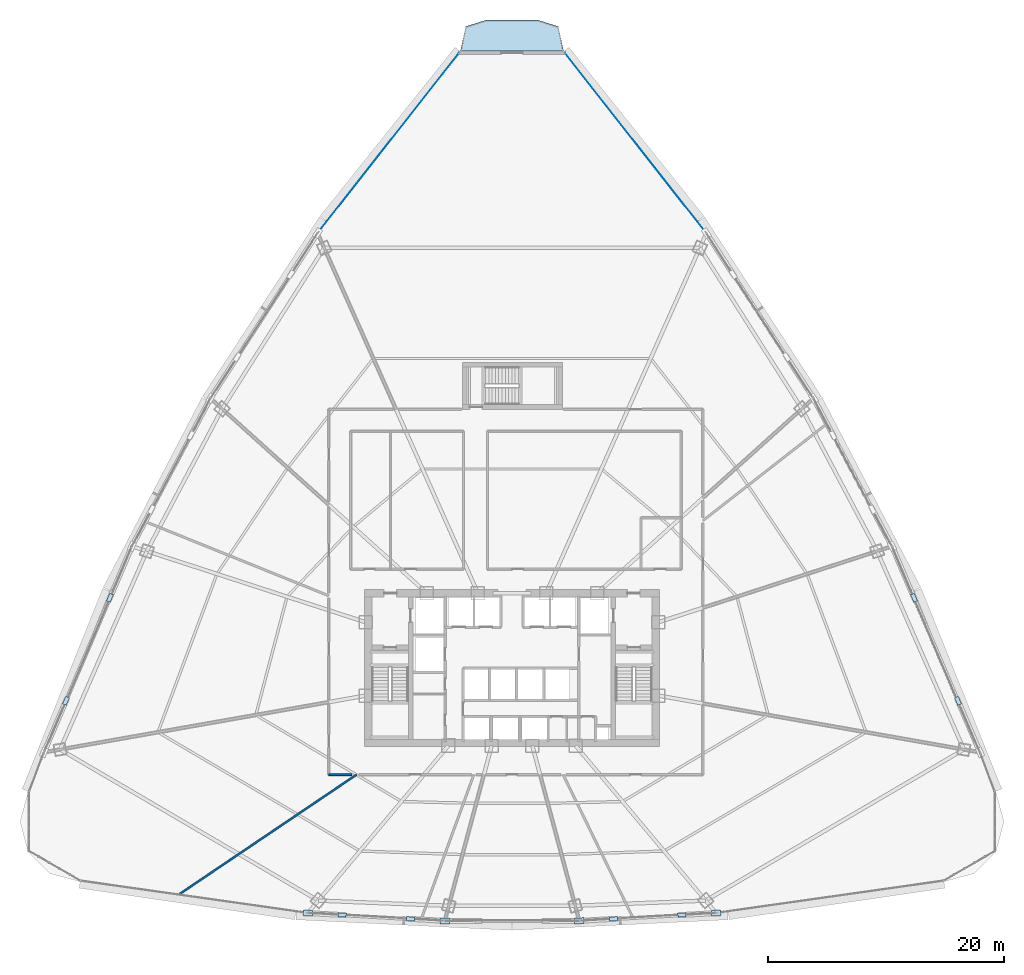
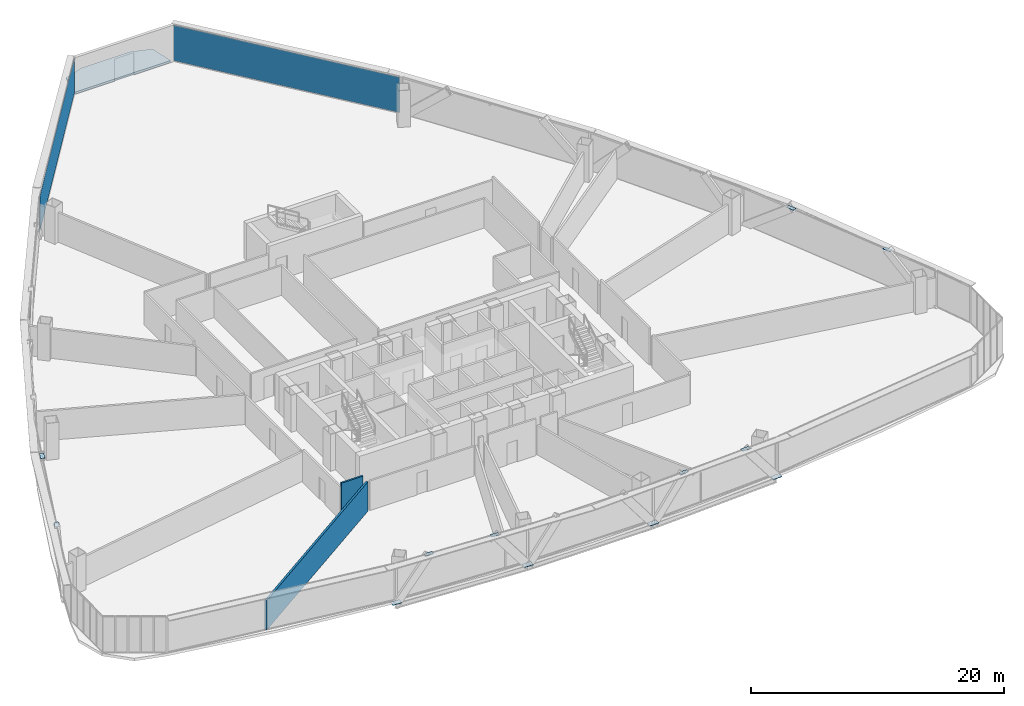
# One storey, part 33 of 41: 14 plates, 2 walls, 1 slab, 2 elements without a shape of their own.
"""IFC4 building model written with IfcOpenShell, lengths in metres."""

import ifcopenshell
import ifcopenshell.guid

model = None  # the IFC model being written
_history = None  # IfcOwnerHistory: only IFC2X3 demands one
_inside = {}  # id of a spatial element -> (the spatial element, [elements in it])
_under = {}  # id of a project, library or spatial element -> (it, [spatial elements below it])
_declared = {}  # id of a project -> (the project, [libraries it declares])
_typed = {}  # id of a type object -> (the type object, [elements of that type])
_made_of = {}  # id of a material, layer set ... -> (it, [elements and type objects made of it])


def new_model(schema):
    """Start an empty IFC model of exactly this schema.

    Asked for "IFC4X3", IfcOpenShell would pick the latest addendum, in which some entities
    have other attributes; the version numbers below select the first issue.
    IFC2X3 requires an IfcOwnerHistory on every rooted entity: one is made here for all.
    """
    global model, _history
    if schema == "IFC4X3":
        model = ifcopenshell.file(schema_version=(4, 3, 0, 0))
    else:
        model = ifcopenshell.file(schema=schema)
    _inside.clear()
    _under.clear()
    _declared.clear()
    _typed.clear()
    _made_of.clear()
    _history = None
    if model.schema == "IFC2X3":
        org = make("IfcOrganization", Name="unknown")
        user = make(
            "IfcPersonAndOrganization",
            ThePerson=make("IfcPerson", FamilyName="unknown"),
            TheOrganization=org,
        )
        app = make(
            "IfcApplication",
            ApplicationDeveloper=org,
            Version="unknown",
            ApplicationFullName="unknown",
            ApplicationIdentifier="unknown",
        )
        _history = make(
            "IfcOwnerHistory",
            OwningUser=user,
            OwningApplication=app,
            ChangeAction="ADDED",
            CreationDate=0,
        )
    return model


def make(cls, **values):
    """One entity of the class cls with the attributes given. An attribute that is None is left unset."""
    return model.create_entity(
        cls, **{name: value for name, value in values.items() if value is not None}
    )


def rooted(cls, **values):
    """An entity with a GlobalId (a new one), such as an element, a storey or a relation."""
    return make(cls, GlobalId=ifcopenshell.guid.new(), OwnerHistory=_history, **values)


def si_unit(unit_type, name, prefix=None):
    """IfcSIUnit, for example si_unit("LENGTHUNIT", "METRE", prefix="MILLI")."""
    return make("IfcSIUnit", UnitType=unit_type, Prefix=prefix, Name=name)


def assignment(units):
    """IfcUnitAssignment: the units of a project."""
    return None if units is None else make("IfcUnitAssignment", Units=units)


def point(xyz):
    """IfcCartesianPoint."""
    return None if xyz is None else make("IfcCartesianPoint", Coordinates=xyz)


def direction(xyz):
    """IfcDirection."""
    return None if xyz is None else make("IfcDirection", DirectionRatios=xyz)


def frame(location, z_axis=None, x_axis=None):
    """IfcAxis2Placement3D, a coordinate frame: its origin and axes. An axis left out is left unset."""
    return make(
        "IfcAxis2Placement3D",
        Location=point(location),
        Axis=direction(z_axis),
        RefDirection=direction(x_axis),
    )


def frame_2d(location, x_axis=None):
    """IfcAxis2Placement2D, a coordinate frame in the plane: its origin and x axis."""
    return make(
        "IfcAxis2Placement2D", Location=point(location), RefDirection=direction(x_axis)
    )


def origin():
    """The frame at (0, 0, 0) with its axes left unset."""
    return frame((0.0, 0.0, 0.0))


def origin_2d():
    """The frame at (0, 0) in the plane with its x axis left unset."""
    return frame_2d((0.0, 0.0))


def place(relative_to, where):
    """IfcLocalPlacement: puts the frame where relative to a parent placement (None: the world)."""
    return make(
        "IfcLocalPlacement", PlacementRelTo=relative_to, RelativePlacement=where
    )


def context(
    kind, dimensions, precision=None, world=None, true_north=None, identifier=None
):
    """IfcGeometricRepresentationContext, for example the 3D "Model" context."""
    return make(
        "IfcGeometricRepresentationContext",
        ContextIdentifier=identifier,
        ContextType=kind,
        CoordinateSpaceDimension=dimensions,
        Precision=precision,
        WorldCoordinateSystem=world,
        TrueNorth=true_north,
    )


def subcontext(parent, identifier, kind, view, scale=None):
    """IfcGeometricRepresentationSubContext, for example "Body" below "Model"."""
    return make(
        "IfcGeometricRepresentationSubContext",
        ContextIdentifier=identifier,
        ContextType=kind,
        ParentContext=parent,
        TargetScale=scale,
        TargetView=view,
    )


def project(units=None, contexts=None):
    """IfcProject with its units and contexts."""
    return rooted(
        "IfcProject",
        Name="project",
        RepresentationContexts=contexts,
        UnitsInContext=assignment(units),
    )


def spatial(cls, under=None, at=None, **own):
    """A site, building, storey or space (cls), placed at a placement, below another one or the project."""
    s = rooted(cls, ObjectPlacement=at, **own)
    if under is not None:
        _under.setdefault(under.id(), (under, []))[1].append(s)
    return s


def polyline(points):
    """IfcPolyline through the points."""
    return make("IfcPolyline", Points=[point(p) for p in points])


def profile(cls, at=None, kind="AREA", **sizes):
    """A parametric profile (cls). Its sizes go by their IFC names, for example OverallWidth=200.0."""
    return make(cls, ProfileType=kind, Position=at, **sizes)


def rectangle(**sizes):
    """IfcRectangleProfileDef."""
    return profile("IfcRectangleProfileDef", **sizes)


def outline(outer, holes=None, kind="AREA"):
    """IfcArbitraryClosedProfileDef: a profile drawn as a closed curve; with holes, ...WithVoids."""
    if holes is None:
        return make("IfcArbitraryClosedProfileDef", ProfileType=kind, OuterCurve=outer)
    return make(
        "IfcArbitraryProfileDefWithVoids",
        ProfileType=kind,
        OuterCurve=outer,
        InnerCurves=holes,
    )


def extrude(swept, where, along, depth):
    """IfcExtrudedAreaSolid: the profile swept, set in the frame where, extruded along a direction by depth."""
    return make(
        "IfcExtrudedAreaSolid",
        SweptArea=swept,
        Position=where,
        ExtrudedDirection=direction(along),
        Depth=depth,
    )


def shape(context_of_items, identifier, shape_type, items):
    """IfcShapeRepresentation: the items that make up one representation, for example the "Body"."""
    return make(
        "IfcShapeRepresentation",
        ContextOfItems=context_of_items,
        RepresentationIdentifier=identifier,
        RepresentationType=shape_type,
        Items=items,
    )


def source(mapping_origin, context_of_items, identifier, shape_type, items):
    """IfcRepresentationMap: a shape defined once, which mapped items show again and again."""
    return make(
        "IfcRepresentationMap",
        MappingOrigin=mapping_origin,
        MappedRepresentation=shape(context_of_items, identifier, shape_type, items),
    )


def transform(
    local_origin,
    x_axis=None,
    y_axis=None,
    z_axis=None,
    scale=None,
    scale2=None,
    scale3=None,
    uniform=True,
):
    """IfcCartesianTransformationOperator3D, or its non-uniform kind. x_axis, y_axis, z_axis: its Axis1, 2, 3."""
    if uniform:
        return make(
            "IfcCartesianTransformationOperator3D",
            Axis1=direction(x_axis),
            Axis2=direction(y_axis),
            LocalOrigin=point(local_origin),
            Scale=scale,
            Axis3=direction(z_axis),
        )
    return make(
        "IfcCartesianTransformationOperator3DnonUniform",
        Axis1=direction(x_axis),
        Axis2=direction(y_axis),
        LocalOrigin=point(local_origin),
        Scale=scale,
        Axis3=direction(z_axis),
        Scale2=scale2,
        Scale3=scale3,
    )


def mapped(mapping_source, mapping_target):
    """IfcMappedItem: shows the shape of a source again, moved by a transform."""
    return make(
        "IfcMappedItem", MappingSource=mapping_source, MappingTarget=mapping_target
    )


def material(Name=None, Category=None):
    """IfcMaterial."""
    return make("IfcMaterial", Name=Name, Category=Category)


def layer(
    of_material, thickness, ventilated=None, Name=None, Category=None, Priority=None
):
    """IfcMaterialLayer: one layer of a wall or slab, of a material (None: an air gap)."""
    return make(
        "IfcMaterialLayer",
        Material=of_material,
        LayerThickness=thickness,
        IsVentilated=ventilated,
        Name=Name,
        Category=Category,
        Priority=Priority,
    )


def layer_set(layers, Name=None):
    """IfcMaterialLayerSet."""
    return make("IfcMaterialLayerSet", MaterialLayers=layers, LayerSetName=Name)


def made_of(thing, what):
    """Note that an element or type object is made of a material, layer set ...; save() writes the relation."""
    if what is not None:
        _made_of.setdefault(what.id(), (what, []))[1].append(thing)
    return thing


def type_object(cls, material=None, **own):
    """A type object (cls), such as IfcWallType, which elements share."""
    return made_of(rooted(cls, **own), material)


def element(
    cls,
    number,
    at=None,
    inside=None,
    cuts=None,
    type_object=None,
    material=None,
    context=None,
    identifier="Body",
    shape_type=None,
    held_by="IfcProductDefinitionShape",
    body=None,
    shapes=None,
    **own,
):
    """One element of the class cls, such as IfcWall. Its Tag is "e" and its number.

    at: its placement. inside: the storey or other place that contains it. cuts: it is an
    opening in that element (IfcRelVoidsElement). A single representation is given by context,
    identifier, shape_type and body (its items); several are given by shapes. held_by: the class
    of the entity that holds the representations. save() writes the other relations.
    """
    e = rooted(cls, Tag="e%d" % number, ObjectPlacement=at, **own)
    if body is not None:
        shapes = [shape(context, identifier, shape_type, body)]
    if shapes is not None:
        e.Representation = make(held_by, Representations=shapes)
    if inside is not None:
        _inside.setdefault(inside.id(), (inside, []))[1].append(e)
    if cuts is not None:
        rooted(
            "IfcRelVoidsElement", RelatingBuildingElement=cuts, RelatedOpeningElement=e
        )
    if type_object is not None:
        _typed.setdefault(type_object.id(), (type_object, []))[1].append(e)
    return made_of(e, material)


def aggregate(whole, parts):
    """IfcRelAggregates: a whole, such as a stair, and the parts it consists of."""
    return rooted("IfcRelAggregates", RelatingObject=whole, RelatedObjects=parts)


def save(model, path):
    """Write the relations noted so far, then the file.

    IfcRelAggregates (storeys below a building ...), IfcRelContainedInSpatialStructure (elements
    in a storey), IfcRelDefinesByType, IfcRelAssociatesMaterial and IfcRelDeclares: one each for
    every whole, place, type object, material and project.
    """
    for whole, parts in _under.values():
        aggregate(whole, parts)
    for where, things in _inside.values():
        rooted(
            "IfcRelContainedInSpatialStructure",
            RelatedElements=things,
            RelatingStructure=where,
        )
    for kind, things in _typed.values():
        rooted("IfcRelDefinesByType", RelatedObjects=things, RelatingType=kind)
    for what, things in _made_of.values():
        rooted("IfcRelAssociatesMaterial", RelatedObjects=things, RelatingMaterial=what)
    for by, libraries in _declared.values():
        rooted("IfcRelDeclares", RelatingContext=by, RelatedDefinitions=libraries)
    model.write(path)


model = new_model("IFC4")

# Units and contexts
model_context = context("Model", 3, precision=1e-05, world=origin(), true_north=direction((0.0, 1.0)))
body_context = subcontext(model_context, "Body", "Model", "MODEL_VIEW")
ifc_project = project(units=[si_unit("LENGTHUNIT", "METRE"), si_unit("AREAUNIT", "SQUARE_METRE"), si_unit("VOLUMEUNIT", "CUBIC_METRE"), si_unit("PLANEANGLEUNIT", "RADIAN"), si_unit("MASSUNIT", "GRAM", prefix="KILO"), si_unit("THERMODYNAMICTEMPERATUREUNIT", "KELVIN"), si_unit("POWERUNIT", "WATT")], contexts=[model_context])

# Site, building, storey
site_placement = place(None, origin())
site = spatial("IfcSite", under=ifc_project, at=site_placement, CompositionType="ELEMENT")
building_placement = place(site_placement, origin())
building = spatial("IfcBuilding", under=site, at=building_placement, Name="Yunzhuo Pagoda Commons", CompositionType="ELEMENT")
storey_placement = place(building_placement, frame((0.0, 0.0, 111.580078125)))
storey = spatial("IfcBuildingStorey", under=building, at=storey_placement, Name="L28", CompositionType="ELEMENT", Elevation=111.580078125)

# Slab
ifc_material_1 = material(Name="Concrete C40", Category="concrete")
ifc_layer_1 = layer(ifc_material_1, 0.199951171875)
ifc_layer_set_1 = layer_set([ifc_layer_1], Name="Concrete C40")
slab_type = type_object("IfcSlabType", Name="SL-BAL Vertex Balcony Deck Slab 200", PredefinedType="FLOOR", material=ifc_layer_set_1)
slab_placement = place(storey_placement, frame((0.0, 0.0, -0.2001953125)))
element("IfcSlab", 1, at=slab_placement, inside=storey, type_object=slab_type, Name="L28 corner balcony V3", PredefinedType="FLOOR", context=body_context, shape_type="SweptSolid", body=[
    extrude(outline(polyline([(52.3818359375, 86.208984375), (43.6181640625, 86.208984375), (44.068115234375, 88.303955078125), (45.80908203125, 88.85400390625), (50.19091796875, 88.85400390625), (51.931884765625, 88.303955078125), (52.3818359375, 86.208984375)])), origin(), (0.0, 0.0, 1.0), 0.2001953125),
])

# Plates
ifc_material_2 = material(Name="Structural steel Q355B", Category="steel")
ifc_layer_2 = layer(ifc_material_2, 0.028076171875)
ifc_layer_set_2 = layer_set([ifc_layer_2], Name="Structural steel Q355B")
plate_type_1 = type_object("IfcPlateType", Name="SP-ND1 Lattice Node Cap Plate 800x500x28", PredefinedType="USERDEFINED", material=ifc_layer_set_2)
shared_shape_1 = source(origin(), body_context, "Body", "SweptSolid", [
    extrude(rectangle(XDim=0.800048828125, YDim=0.5, at=origin_2d()), origin(), (0.0, 0.0, 1.0), 0.028076171875),
])
for number, where, z_axis, x_axis, name in (
    (2, (30.67626953125, 13.054443359375, -0.27392578125), (0.0, 0.0, 1.0), (0.998372815622, -0.057023863656, 0.0), "L28 diamond node plate F1.1A"),
    (3, (42.290283203125, 12.39111328125, -0.27392578125), (0.0, 0.0, 1.0), (1.0, 0.0, 0.0), "L28 diamond node plate F1.2A"),
    (4, (53.709716796875, 12.39111328125, -0.27392578125), (0.0, 0.0, 1.0), (0.998372815622, 0.057023863656, 0.0), "L28 diamond node plate F1.3A"),
    (5, (65.32373046875, 13.054443359375, -0.27392578125), (0.0, 0.0, 1.0), (0.998372815622, 0.057023863656, 0.0), "L28 diamond node plate F1.3B"),
):
    element("IfcPlate", number, at=place(storey_placement, frame(where, z_axis=z_axis, x_axis=x_axis)), inside=storey, type_object=plate_type_1, Name=name, ObjectType="STIFFENER_PLATE", PredefinedType="USERDEFINED", context=body_context, shape_type="MappedRepresentation", body=[
        mapped(shared_shape_1, transform((0.0, 0.0, 0.0), scale=1.0)),
    ])
shared_shape_2 = source(origin(), body_context, "Body", "SweptSolid", [
    extrude(rectangle(XDim=0.699951171875, YDim=0.35009765625, at=origin_2d()), origin(), (0.0, 0.0, 1.0), 0.035888671875),
])
for number, where, z_axis, x_axis, name in (
    (6, (33.579833984375, 12.888427734375, 3.501953125), (0.0, 0.0, 1.0), (0.998372815622, -0.057023863656, 0.0), "L28 setback lattice tie plate F1.1L"),
    (7, (39.38671875, 12.556884765625, 3.501953125), (0.0, 0.0, 1.0), (0.998372815622, -0.057023863656, 0.0), "L28 setback lattice tie plate F1.1R"),
    (8, (56.61328125, 12.556884765625, 3.501953125), (0.0, 0.0, 1.0), (0.998372815622, 0.057023863656, 0.0), "L28 setback lattice tie plate F1.3L"),
    (9, (62.420166015625, 12.888427734375, 3.501953125), (0.0, 0.0, 1.0), (0.998372815622, 0.057023863656, 0.0), "L28 setback lattice tie plate F1.3R"),
    (10, (85.85888671875, 31.06689453125, 3.501953125), (0.0, 0.0, 1.0), (-0.392738427085, 0.919650220405, 0.0), "L28 setback lattice tie plate F2.1L"),
    (11, (82.125, 39.809814453125, 3.501953125), (0.0, 0.0, 1.0), (-0.392738427085, 0.919650220405, 0.0), "L28 setback lattice tie plate F2.1R"),
    (12, (13.875, 39.809814453125, 3.501953125), (0.0, 0.0, 1.0), (-0.392738427085, -0.919650220405, 0.0), "L28 setback lattice tie plate F3.3L"),
    (13, (10.14111328125, 31.06689453125, 3.501953125), (0.0, 0.0, 1.0), (-0.392738427085, -0.919650220405, 0.0), "L28 setback lattice tie plate F3.3R"),
):
    element("IfcPlate", number, at=place(storey_placement, frame(where, z_axis=z_axis, x_axis=x_axis)), inside=storey, type_object=plate_type_1, Name=name, ObjectType="STIFFENER_PLATE", PredefinedType="USERDEFINED", context=body_context, shape_type="MappedRepresentation", body=[
        mapped(shared_shape_2, transform((0.0, 0.0, 0.0), scale=1.0)),
    ])

# Curtain wall, plate
ifc_material_3 = material(Name="Anodized aluminium 6063-T6", Category="aluminium")
ifc_layer_3 = layer(ifc_material_3, 0.1650390625)
ifc_layer_set_3 = layer_set([ifc_layer_3], Name="Anodized aluminium 6063-T6")
curtain_wall_type = type_object("IfcCurtainWallType", Name="CW-LOW Low-Zone Ribbon Curtain Wall", PredefinedType="NOTDEFINED", material=ifc_layer_set_3)
curtain_wall_1_placement = place(storey_placement, origin())
curtain_wall_1 = element("IfcCurtainWall", 14, at=curtain_wall_1_placement, inside=storey, type_object=curtain_wall_type, Name="L28 curtain wall CW-L28-F2B5", PredefinedType="NOTDEFINED")
ifc_material_4 = material(Name="Tempered low-e double glazing", Category="glass")
ifc_layer_4 = layer(ifc_material_4, 0.028076171875)
ifc_layer_set_4 = layer_set([ifc_layer_4], Name="Tempered low-e double glazing")
plate_type_2 = type_object("IfcPlateType", Name="CW-LOW-P Low-E Double Glazing 28", PredefinedType="CURTAIN_PANEL", material=ifc_layer_set_4)
shared_shape_3 = source(origin(), body_context, "Body", "SweptSolid", [
    extrude(rectangle(XDim=19.262451171875, YDim=0.028076171875, at=origin_2d()), origin(), (0.0, 0.0, 1.0), 3.419921875),
])
plate_1_placement = place(storey_placement, frame((58.46630859375, 78.448974609375, 0.06005859375), z_axis=(0.0, 0.0, 1.0), x_axis=(-0.617727718925, 0.786392055703, 0.0)))
plate_1 = element("IfcPlate", 15, at=plate_1_placement, type_object=plate_type_2, Name="CW panel 1.1", PredefinedType="CURTAIN_PANEL", context=body_context, shape_type="MappedRepresentation", body=[
    mapped(shared_shape_3, transform((0.0, 0.0, 0.0), scale=1.0)),
])
aggregate(curtain_wall_1, [plate_1])

curtain_wall_2_placement = place(storey_placement, origin())
curtain_wall_2 = element("IfcCurtainWall", 16, at=curtain_wall_2_placement, inside=storey, type_object=curtain_wall_type, Name="L28 curtain wall CW-L28-F3B1", PredefinedType="NOTDEFINED")
plate_2_placement = place(storey_placement, frame((37.53369140625, 78.448974609375, 0.06005859375), z_axis=(0.0, 0.0, 1.0), x_axis=(-0.617727718925, -0.786392055703, 0.0)))
plate_2 = element("IfcPlate", 17, at=plate_2_placement, type_object=plate_type_2, Name="CW panel 1.1", PredefinedType="CURTAIN_PANEL", context=body_context, shape_type="MappedRepresentation", body=[
    mapped(shared_shape_3, transform((0.0, 0.0, 0.0), scale=1.0)),
])
aggregate(curtain_wall_2, [plate_2])

# Walls
ifc_material_5 = material(Name="Gypsum plasterboard on acoustic stud")
ifc_layer_5 = layer(ifc_material_5, 0.159912109375)
ifc_layer_set_5 = layer_set([ifc_layer_5], Name="Gypsum plasterboard on acoustic stud")
wall_type_1 = type_object("IfcWallType", Name="W-COR1 Tower Rated Corridor Wall 160", PredefinedType="PARTITIONING", material=ifc_layer_set_5)
wall_1_placement = place(storey_placement, frame((34.411865234375, 24.800048828125, 0.0), z_axis=(0.0, 0.0, 1.0), x_axis=(-1.0, 0.0, 0.0)))
element("IfcWall", 18, at=wall_1_placement, inside=storey, type_object=wall_type_1, Name="L28 interior wall IW-L28-CWL18", PredefinedType="PARTITIONING", context=body_context, shape_type="SweptSolid", body=[
    extrude(rectangle(XDim=1.9619140625, YDim=0.159912109375, at=frame_2d((0.98095703125, 0.0))), origin(), (0.0, 0.0, 1.0), 3.5400390625),
])
ifc_layer_6 = layer(ifc_material_5, 0.179931640625)
ifc_layer_set_6 = layer_set([ifc_layer_6], Name="Gypsum plasterboard on acoustic stud")
wall_type_2 = type_object("IfcWallType", Name="W-PRT2 Acoustic Unit Demising Wall 180", PredefinedType="PARTITIONING", material=ifc_layer_set_6)
wall_2_placement = place(storey_placement, frame((34.80517578125, 24.800048828125, 0.0), z_axis=(0.0, 0.0, 1.0), x_axis=(-0.829033837177, -0.559198441356, 0.0)))
element("IfcWall", 19, at=wall_2_placement, inside=storey, type_object=wall_type_2, Name="L28 interior wall IW-L28-RAD08", PredefinedType="PARTITIONING", context=body_context, shape_type="SweptSolid", body=[
    extrude(rectangle(XDim=18.2158203125, YDim=0.179931640625, at=frame_2d((9.10791015625, 0.0))), origin(), (0.0, 0.0, 1.0), 2.83984375),
])

save(model, "model.ifc")
